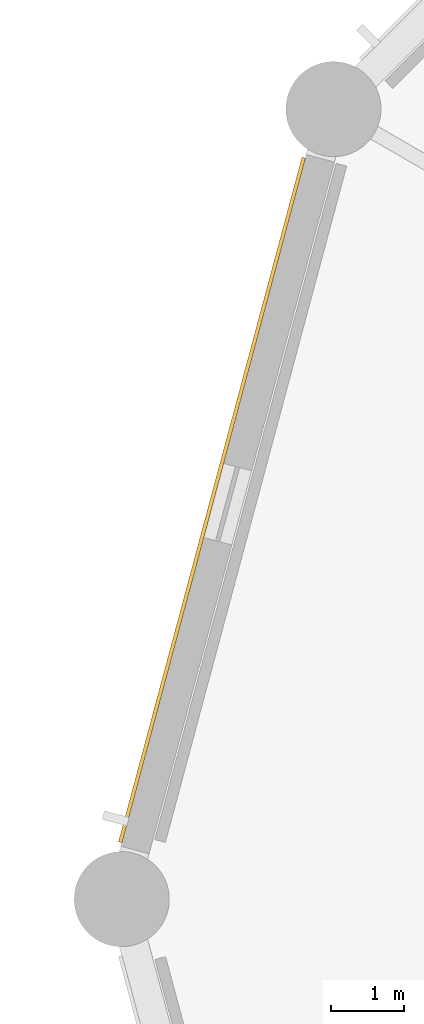
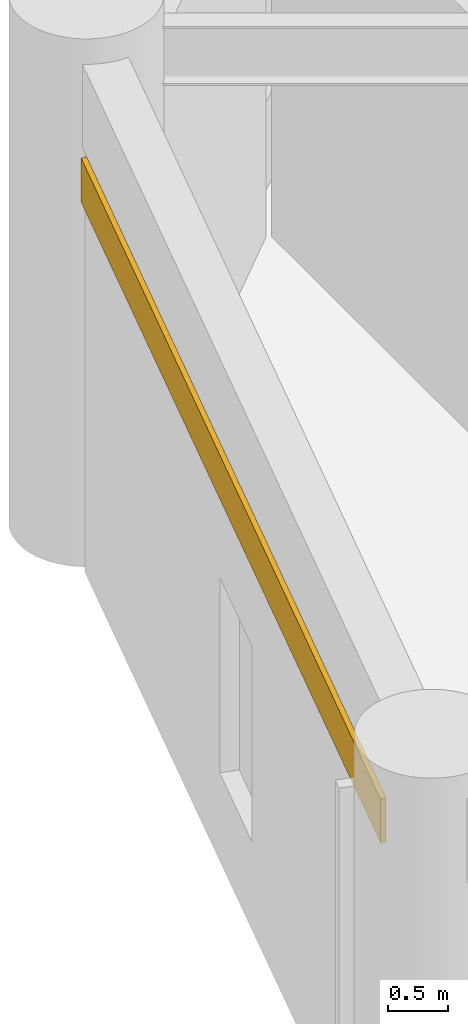
# One storey, part 156 of 166: 1 covering.
"""IFC4 building model written with IfcOpenShell, lengths in metres."""

from ifc_helpers import new_model, si_unit, direction, frame, origin, origin_2d, place, context, subcontext, project, spatial, rectangle, extrude, material, type_object, element, save


model = new_model("IFC4")

# Units and contexts
model_context = context("Model", 3, precision=1e-05, world=origin(), true_north=direction((0.0, 1.0)))
body_context = subcontext(model_context, "Body", "Model", "MODEL_VIEW")
ifc_project = project(units=[si_unit("LENGTHUNIT", "METRE"), si_unit("AREAUNIT", "SQUARE_METRE"), si_unit("VOLUMEUNIT", "CUBIC_METRE"), si_unit("PLANEANGLEUNIT", "RADIAN"), si_unit("MASSUNIT", "GRAM", prefix="KILO")], contexts=[model_context])

# Site, building, storey
site_placement = place(None, origin())
site = spatial("IfcSite", under=ifc_project, at=site_placement, CompositionType="ELEMENT")
building_placement = place(site_placement, origin())
building = spatial("IfcBuilding", under=site, at=building_placement, Name="Haizhuo Lancet Aquarium", CompositionType="ELEMENT")
storey_placement = place(building_placement, frame((0.0, 0.0, 5.39990234375)))
storey = spatial("IfcBuildingStorey", under=building, at=storey_placement, Name="L01", CompositionType="ELEMENT", Elevation=5.39990234375)

# Covering
ifc_material = material(Name="Shandong Grey Limestone Ashlar", Category="masonry")
covering_type = type_object("IfcCoveringType", Name="COV-CLD-STN", PredefinedType="CLADDING", material=ifc_material)
covering_placement = place(storey_placement, frame((-20.365966796875, 5.45703125, 3.8251953125), z_axis=(0.0, 0.0, 1.0), x_axis=(0.25879394043, 0.965932552716, 0.0)))
element("IfcCovering", 1, at=covering_placement, inside=storey, type_object=covering_type, material=ifc_material, Name="L01 limestone ashlar spandrel cladding 6", PredefinedType="CLADDING", context=body_context, shape_type="SweptSolid", body=[
    extrude(rectangle(XDim=9.69189453125, YDim=0.050048828125, at=origin_2d()), origin(), (0.0, 0.0, 1.0), 0.449951171875),
])

save(model, "model.ifc")
